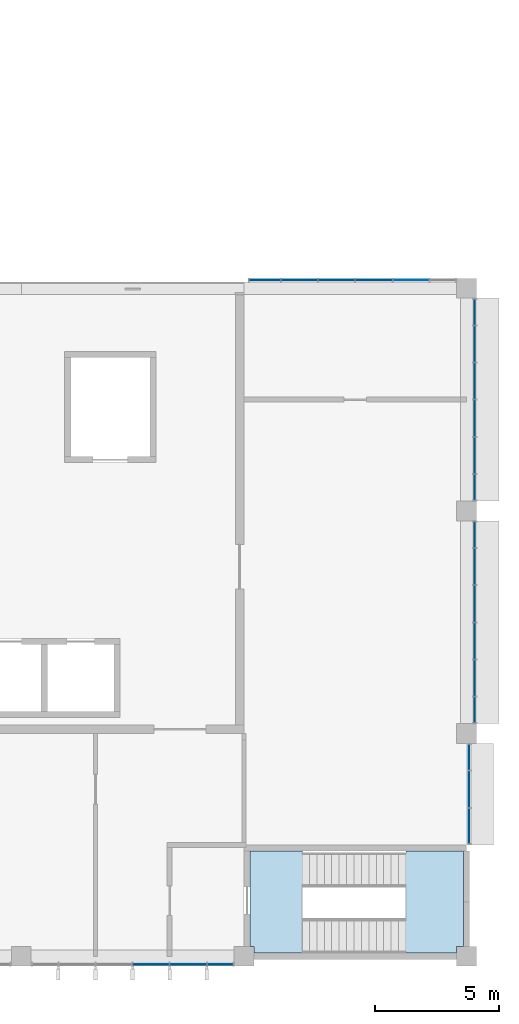
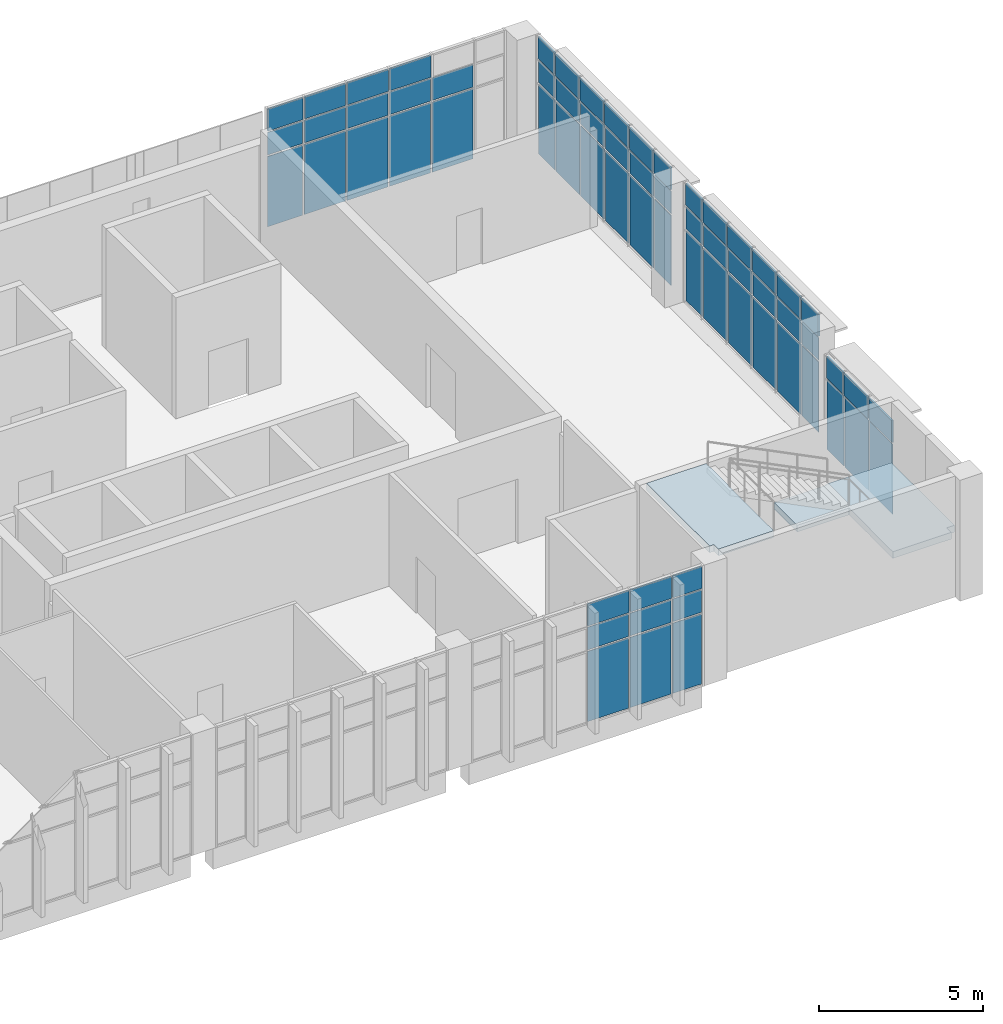
# One storey, part 11 of 19: 65 plates, 2 slabs, 6 elements without a shape of their own.
"""IFC4 building model written with IfcOpenShell, lengths in metres."""

from ifc_helpers import new_model, si_unit, direction, frame, origin, origin_2d, place, context, subcontext, project, spatial, polyline, rectangle, outline, extrude, material, layer, layer_set, type_object, element, aggregate, save


model = new_model("IFC4")

# Units and contexts
model_context = context("Model", 3, precision=1e-05, world=origin(), true_north=direction((0.0, 1.0)))
body_context = subcontext(model_context, "Body", "Model", "MODEL_VIEW")
ifc_project = project(units=[si_unit("LENGTHUNIT", "METRE"), si_unit("AREAUNIT", "SQUARE_METRE"), si_unit("VOLUMEUNIT", "CUBIC_METRE"), si_unit("PLANEANGLEUNIT", "RADIAN"), si_unit("MASSUNIT", "GRAM", prefix="KILO")], contexts=[model_context])

# Site, building, storey
site_placement = place(None, origin())
site = spatial("IfcSite", under=ifc_project, at=site_placement, CompositionType="ELEMENT")
building_placement = place(site_placement, origin())
building = spatial("IfcBuilding", under=site, at=building_placement, Name="Guidao Yard Department Store", CompositionType="ELEMENT")
storey_placement = place(building_placement, frame((0.0, 0.0, 33.0)))
storey = spatial("IfcBuildingStorey", under=building, at=storey_placement, Name="L07", CompositionType="ELEMENT", Elevation=33.0)

# Curtain wall, plates
ifc_material_1 = material(Name="Aluminium and glass", Category="aluminium")
ifc_layer_1 = layer(ifc_material_1, 0.159912109375)
ifc_layer_set_1 = layer_set([ifc_layer_1], Name="Unitised curtain wall CW4 1500 module")
curtain_wall_type = type_object("IfcCurtainWallType", Name="Unitised curtain wall CW4 1500 module", PredefinedType="NOTDEFINED", material=ifc_layer_set_1)
curtain_wall_1_placement = place(storey_placement, origin())
curtain_wall_1 = element("IfcCurtainWall", 1, at=curtain_wall_1_placement, inside=storey, type_object=curtain_wall_type, Name="Unitised curtain wall", PredefinedType="NOTDEFINED")
ifc_material_2 = material(Name="Aluminium 6063-T5 faced insulated spandrel", Category="aluminium")
ifc_layer_2 = layer(ifc_material_2, 0.06005859375)
ifc_layer_set_2 = layer_set([ifc_layer_2], Name="Spandrel panel SP1 insulated opaque")
plate_type_1 = type_object("IfcPlateType", Name="Spandrel panel SP1 insulated opaque", PredefinedType="CURTAIN_PANEL", material=ifc_layer_set_2)
plate_1_placement = place(storey_placement, frame((158.25, -0.330078125, 3.6298828125), z_axis=(0.0, 0.0, 1.0), x_axis=(-1.0, 0.0, 0.0)))
plate_1 = element("IfcPlate", 2, at=plate_1_placement, type_object=plate_type_1, Name="CW-OW-L07-04 panel 4.3", PredefinedType="CURTAIN_PANEL", context=body_context, shape_type="SweptSolid", body=[
    extrude(rectangle(XDim=1.43994140625, YDim=0.06005859375, at=origin_2d()), origin(), (0.0, 0.0, 1.0), 0.81005859375),
])
plate_2_placement = place(storey_placement, frame((159.75, -0.330078125, 3.6298828125), z_axis=(0.0, 0.0, 1.0), x_axis=(-1.0, 0.0, 0.0)))
plate_2 = element("IfcPlate", 3, at=plate_2_placement, type_object=plate_type_1, Name="CW-OW-L07-04 panel 5.3", PredefinedType="CURTAIN_PANEL", context=body_context, shape_type="SweptSolid", body=[
    extrude(rectangle(XDim=1.43994140625, YDim=0.06005859375, at=origin_2d()), origin(), (0.0, 0.0, 1.0), 0.81005859375),
])
plate_3_placement = place(storey_placement, frame((161.034912109375, -0.330078125, 3.6298828125), z_axis=(0.0, 0.0, 1.0), x_axis=(-1.0, 0.0, 0.0)))
plate_3 = element("IfcPlate", 4, at=plate_3_placement, type_object=plate_type_1, Name="CW-OW-L07-04 panel 6.3", PredefinedType="CURTAIN_PANEL", context=body_context, shape_type="SweptSolid", body=[
    extrude(rectangle(XDim=1.010009765625, YDim=0.06005859375, at=origin_2d()), origin(), (0.0, 0.0, 1.0), 0.81005859375),
])

curtain_wall_2_placement = place(storey_placement, origin())
curtain_wall_2 = element("IfcCurtainWall", 5, at=curtain_wall_2_placement, inside=storey, type_object=curtain_wall_type, Name="Unitised curtain wall", PredefinedType="NOTDEFINED")
plate_4_placement = place(storey_placement, frame((162.8525390625, 27.330078125, 3.6298828125), z_axis=(0.0, 0.0, 1.0), x_axis=(1.0, 0.0, 0.0)))
plate_4 = element("IfcPlate", 6, at=plate_4_placement, type_object=plate_type_1, Name="CW-OW-L07-08 panel 1.3", PredefinedType="CURTAIN_PANEL", context=body_context, shape_type="SweptSolid", body=[
    extrude(rectangle(XDim=1.235107421875, YDim=0.06005859375, at=origin_2d()), origin(), (0.0, 0.0, 1.0), 0.81005859375),
])
plate_5_placement = place(storey_placement, frame((164.25, 27.330078125, 3.6298828125), z_axis=(0.0, 0.0, 1.0), x_axis=(1.0, 0.0, 0.0)))
plate_5 = element("IfcPlate", 7, at=plate_5_placement, type_object=plate_type_1, Name="CW-OW-L07-08 panel 2.3", PredefinedType="CURTAIN_PANEL", context=body_context, shape_type="SweptSolid", body=[
    extrude(rectangle(XDim=1.43994140625, YDim=0.06005859375, at=origin_2d()), origin(), (0.0, 0.0, 1.0), 0.81005859375),
])
plate_6_placement = place(storey_placement, frame((165.75, 27.330078125, 3.6298828125), z_axis=(0.0, 0.0, 1.0), x_axis=(1.0, 0.0, 0.0)))
plate_6 = element("IfcPlate", 8, at=plate_6_placement, type_object=plate_type_1, Name="CW-OW-L07-08 panel 3.3", PredefinedType="CURTAIN_PANEL", context=body_context, shape_type="SweptSolid", body=[
    extrude(rectangle(XDim=1.43994140625, YDim=0.06005859375, at=origin_2d()), origin(), (0.0, 0.0, 1.0), 0.81005859375),
])
plate_7_placement = place(storey_placement, frame((167.25, 27.330078125, 3.6298828125), z_axis=(0.0, 0.0, 1.0), x_axis=(1.0, 0.0, 0.0)))
plate_7 = element("IfcPlate", 9, at=plate_7_placement, type_object=plate_type_1, Name="CW-OW-L07-08 panel 4.3", PredefinedType="CURTAIN_PANEL", context=body_context, shape_type="SweptSolid", body=[
    extrude(rectangle(XDim=1.43994140625, YDim=0.06005859375, at=origin_2d()), origin(), (0.0, 0.0, 1.0), 0.81005859375),
])

curtain_wall_3_placement = place(storey_placement, origin())
curtain_wall_3 = element("IfcCurtainWall", 10, at=curtain_wall_3_placement, inside=storey, type_object=curtain_wall_type, Name="Unitised curtain wall", PredefinedType="NOTDEFINED")
plate_8_placement = place(storey_placement, frame((171.10009765625, 5.264892578125, 2.72998046875), z_axis=(0.0, 0.0, 1.0), x_axis=(0.0, -1.0, 0.0)))
plate_8 = element("IfcPlate", 11, at=plate_8_placement, type_object=plate_type_1, Name="CW-OW-L07-09 panel 1.2", PredefinedType="CURTAIN_PANEL", context=body_context, shape_type="SweptSolid", body=[
    extrude(rectangle(XDim=1.409912109375, YDim=0.06005859375, at=origin_2d()), origin(), (0.0, 0.0, 1.0), 0.81005859375),
])
plate_9_placement = place(storey_placement, frame((171.10009765625, 6.75, 2.72998046875), z_axis=(0.0, 0.0, 1.0), x_axis=(0.0, -1.0, 0.0)))
plate_9 = element("IfcPlate", 12, at=plate_9_placement, type_object=plate_type_1, Name="CW-OW-L07-09 panel 2.2", PredefinedType="CURTAIN_PANEL", context=body_context, shape_type="SweptSolid", body=[
    extrude(rectangle(XDim=1.43994140625, YDim=0.06005859375, at=origin_2d()), origin(), (0.0, 0.0, 1.0), 0.81005859375),
])
plate_10_placement = place(storey_placement, frame((171.10009765625, 8.034912109375, 2.72998046875), z_axis=(0.0, 0.0, 1.0), x_axis=(0.0, -1.0, 0.0)))
plate_10 = element("IfcPlate", 13, at=plate_10_placement, type_object=plate_type_1, Name="CW-OW-L07-09 panel 3.2", PredefinedType="CURTAIN_PANEL", context=body_context, shape_type="SweptSolid", body=[
    extrude(rectangle(XDim=1.010009765625, YDim=0.06005859375, at=origin_2d()), origin(), (0.0, 0.0, 1.0), 0.81005859375),
])

curtain_wall_4_placement = place(storey_placement, origin())
curtain_wall_4 = element("IfcCurtainWall", 14, at=curtain_wall_4_placement, inside=storey, type_object=curtain_wall_type, Name="Unitised curtain wall", PredefinedType="NOTDEFINED")
plate_11_placement = place(storey_placement, frame((171.330078125, 9.965087890625, 3.6298828125), z_axis=(0.0, 0.0, 1.0), x_axis=(0.0, -1.0, 0.0)))
plate_11 = element("IfcPlate", 15, at=plate_11_placement, type_object=plate_type_1, Name="CW-OW-L07-10 panel 1.3", PredefinedType="CURTAIN_PANEL", context=body_context, shape_type="SweptSolid", body=[
    extrude(rectangle(XDim=1.010009765625, YDim=0.06005859375, at=origin_2d()), origin(), (0.0, 0.0, 1.0), 0.81005859375),
])
plate_12_placement = place(storey_placement, frame((171.330078125, 11.25, 3.6298828125), z_axis=(0.0, 0.0, 1.0), x_axis=(0.0, -1.0, 0.0)))
plate_12 = element("IfcPlate", 16, at=plate_12_placement, type_object=plate_type_1, Name="CW-OW-L07-10 panel 2.3", PredefinedType="CURTAIN_PANEL", context=body_context, shape_type="SweptSolid", body=[
    extrude(rectangle(XDim=1.43994140625, YDim=0.06005859375, at=origin_2d()), origin(), (0.0, 0.0, 1.0), 0.81005859375),
])
plate_13_placement = place(storey_placement, frame((171.330078125, 12.75, 3.6298828125), z_axis=(0.0, 0.0, 1.0), x_axis=(0.0, -1.0, 0.0)))
plate_13 = element("IfcPlate", 17, at=plate_13_placement, type_object=plate_type_1, Name="CW-OW-L07-10 panel 3.3", PredefinedType="CURTAIN_PANEL", context=body_context, shape_type="SweptSolid", body=[
    extrude(rectangle(XDim=1.43994140625, YDim=0.06005859375, at=origin_2d()), origin(), (0.0, 0.0, 1.0), 0.81005859375),
])
plate_14_placement = place(storey_placement, frame((171.330078125, 14.25, 3.6298828125), z_axis=(0.0, 0.0, 1.0), x_axis=(0.0, -1.0, 0.0)))
plate_14 = element("IfcPlate", 18, at=plate_14_placement, type_object=plate_type_1, Name="CW-OW-L07-10 panel 4.3", PredefinedType="CURTAIN_PANEL", context=body_context, shape_type="SweptSolid", body=[
    extrude(rectangle(XDim=1.43994140625, YDim=0.06005859375, at=origin_2d()), origin(), (0.0, 0.0, 1.0), 0.81005859375),
])
plate_15_placement = place(storey_placement, frame((171.330078125, 15.75, 3.6298828125), z_axis=(0.0, 0.0, 1.0), x_axis=(0.0, -1.0, 0.0)))
plate_15 = element("IfcPlate", 19, at=plate_15_placement, type_object=plate_type_1, Name="CW-OW-L07-10 panel 5.3", PredefinedType="CURTAIN_PANEL", context=body_context, shape_type="SweptSolid", body=[
    extrude(rectangle(XDim=1.43994140625, YDim=0.06005859375, at=origin_2d()), origin(), (0.0, 0.0, 1.0), 0.81005859375),
])
plate_16_placement = place(storey_placement, frame((171.330078125, 17.034912109375, 3.6298828125), z_axis=(0.0, 0.0, 1.0), x_axis=(0.0, -1.0, 0.0)))
plate_16 = element("IfcPlate", 20, at=plate_16_placement, type_object=plate_type_1, Name="CW-OW-L07-10 panel 6.3", PredefinedType="CURTAIN_PANEL", context=body_context, shape_type="SweptSolid", body=[
    extrude(rectangle(XDim=1.010009765625, YDim=0.06005859375, at=origin_2d()), origin(), (0.0, 0.0, 1.0), 0.81005859375),
])

curtain_wall_5_placement = place(storey_placement, origin())
curtain_wall_5 = element("IfcCurtainWall", 21, at=curtain_wall_5_placement, inside=storey, type_object=curtain_wall_type, Name="Unitised curtain wall", PredefinedType="NOTDEFINED")
plate_17_placement = place(storey_placement, frame((171.330078125, 18.965087890625, 3.6298828125), z_axis=(0.0, 0.0, 1.0), x_axis=(0.0, -1.0, 0.0)))
plate_17 = element("IfcPlate", 22, at=plate_17_placement, type_object=plate_type_1, Name="CW-OW-L07-11 panel 1.3", PredefinedType="CURTAIN_PANEL", context=body_context, shape_type="SweptSolid", body=[
    extrude(rectangle(XDim=1.010009765625, YDim=0.06005859375, at=origin_2d()), origin(), (0.0, 0.0, 1.0), 0.81005859375),
])
plate_18_placement = place(storey_placement, frame((171.330078125, 20.25, 3.6298828125), z_axis=(0.0, 0.0, 1.0), x_axis=(0.0, -1.0, 0.0)))
plate_18 = element("IfcPlate", 23, at=plate_18_placement, type_object=plate_type_1, Name="CW-OW-L07-11 panel 2.3", PredefinedType="CURTAIN_PANEL", context=body_context, shape_type="SweptSolid", body=[
    extrude(rectangle(XDim=1.43994140625, YDim=0.06005859375, at=origin_2d()), origin(), (0.0, 0.0, 1.0), 0.81005859375),
])
plate_19_placement = place(storey_placement, frame((171.330078125, 21.75, 3.6298828125), z_axis=(0.0, 0.0, 1.0), x_axis=(0.0, -1.0, 0.0)))
plate_19 = element("IfcPlate", 24, at=plate_19_placement, type_object=plate_type_1, Name="CW-OW-L07-11 panel 3.3", PredefinedType="CURTAIN_PANEL", context=body_context, shape_type="SweptSolid", body=[
    extrude(rectangle(XDim=1.43994140625, YDim=0.06005859375, at=origin_2d()), origin(), (0.0, 0.0, 1.0), 0.81005859375),
])
plate_20_placement = place(storey_placement, frame((171.330078125, 23.25, 3.6298828125), z_axis=(0.0, 0.0, 1.0), x_axis=(0.0, -1.0, 0.0)))
plate_20 = element("IfcPlate", 25, at=plate_20_placement, type_object=plate_type_1, Name="CW-OW-L07-11 panel 4.3", PredefinedType="CURTAIN_PANEL", context=body_context, shape_type="SweptSolid", body=[
    extrude(rectangle(XDim=1.43994140625, YDim=0.06005859375, at=origin_2d()), origin(), (0.0, 0.0, 1.0), 0.81005859375),
])
plate_21_placement = place(storey_placement, frame((171.330078125, 24.75, 3.6298828125), z_axis=(0.0, 0.0, 1.0), x_axis=(0.0, -1.0, 0.0)))
plate_21 = element("IfcPlate", 26, at=plate_21_placement, type_object=plate_type_1, Name="CW-OW-L07-11 panel 5.3", PredefinedType="CURTAIN_PANEL", context=body_context, shape_type="SweptSolid", body=[
    extrude(rectangle(XDim=1.43994140625, YDim=0.06005859375, at=origin_2d()), origin(), (0.0, 0.0, 1.0), 0.81005859375),
])
plate_22_placement = place(storey_placement, frame((171.330078125, 26.034912109375, 3.6298828125), z_axis=(0.0, 0.0, 1.0), x_axis=(0.0, -1.0, 0.0)))
plate_22 = element("IfcPlate", 27, at=plate_22_placement, type_object=plate_type_1, Name="CW-OW-L07-11 panel 6.3", PredefinedType="CURTAIN_PANEL", context=body_context, shape_type="SweptSolid", body=[
    extrude(rectangle(XDim=1.010009765625, YDim=0.06005859375, at=origin_2d()), origin(), (0.0, 0.0, 1.0), 0.81005859375),
])

# Stair, slabs
ifc_material_3 = material(Name="Concrete C35", Category="concrete")
stair_type = type_object("IfcStairType", Name="Stair half-turn two-flight 1400 wide 4.5 m rise", PredefinedType="HALF_TURN_STAIR", material=ifc_material_3)
stair_placement = place(storey_placement, origin())
stair = element("IfcStair", 28, at=stair_placement, inside=storey, type_object=stair_type, Name="Stair O2 L07 to RF", PredefinedType="HALF_TURN_STAIR")
ifc_material_4 = material(Name="Concrete C35", Category="concrete")
ifc_layer_3 = layer(ifc_material_4, 0.25)
ifc_layer_set_3 = layer_set([ifc_layer_3], Name="Stair landing RC 250 C35")
slab_type = type_object("IfcSlabType", Name="Stair landing RC 250 C35", PredefinedType="LANDING", material=ifc_layer_set_3)
slab_1_placement = place(storey_placement, frame((0.0, 0.0, 2.0)))
slab_1 = element("IfcSlab", 29, at=slab_1_placement, type_object=slab_type, Name="SO2-L07 landing 1", PredefinedType="LANDING", context=body_context, shape_type="SweptSolid", body=[
    extrude(outline(polyline([(168.550048828125, 1.52490234375), (168.550048828125, 2.800048828125), (166.719970703125, 2.800048828125), (166.719970703125, 4.199951171875), (168.550048828125, 4.199951171875), (168.550048828125, 4.25), (170.875, 4.25), (170.875, 0.39990234375), (170.60009765625, 0.39990234375), (170.60009765625, 0.125), (168.550048828125, 0.125), (168.5400390625, 0.125), (168.5400390625, 1.52490234375), (168.550048828125, 1.52490234375)])), origin(), (0.0, 0.0, 1.0), 0.25),
])
slab_2_placement = place(storey_placement, frame((0.0, 0.0, 4.25)))
slab_2 = element("IfcSlab", 30, at=slab_2_placement, type_object=slab_type, Name="SO2-L07 landing 2", PredefinedType="LANDING", context=body_context, shape_type="SweptSolid", body=[
    extrude(outline(polyline([(162.39990234375, 0.39990234375), (162.25, 0.39990234375), (162.25, 2.800048828125), (162.25, 4.25), (164.360107421875, 4.25), (164.360107421875, 2.800048828125), (164.35009765625, 2.800048828125), (164.35009765625, 0.125), (162.39990234375, 0.125), (162.39990234375, 0.39990234375)])), origin(), (0.0, 0.0, 1.0), 0.25),
])
aggregate(stair, [slab_1, slab_2])

# Plate
ifc_material_5 = material(Name="Laminated heat-soaked tempered glass", Category="glass")
ifc_layer_4 = layer(ifc_material_5, 0.017578125)
ifc_layer_set_4 = layer_set([ifc_layer_4], Name="Vision glass VG1 laminated heat-soaked tempered 8+8")
plate_type_2 = type_object("IfcPlateType", Name="Vision glass VG1 laminated heat-soaked tempered 8+8", PredefinedType="CURTAIN_PANEL", material=ifc_layer_set_4)
plate_23_placement = place(storey_placement, frame((158.25, -0.330078125, 0.06005859375), z_axis=(0.0, 0.0, 1.0), x_axis=(-1.0, 0.0, 0.0)))
plate_23 = element("IfcPlate", 31, at=plate_23_placement, type_object=plate_type_2, Name="CW-OW-L07-04 panel 4.1", PredefinedType="CURTAIN_PANEL", context=body_context, shape_type="SweptSolid", body=[
    extrude(rectangle(XDim=1.43994140625, YDim=0.017578125, at=origin_2d()), origin(), (0.0, 0.0, 1.0), 2.610107421875),
])

plate_24_placement = place(storey_placement, frame((158.25, -0.330078125, 2.72998046875), z_axis=(0.0, 0.0, 1.0), x_axis=(-1.0, 0.0, 0.0)))
plate_24 = element("IfcPlate", 32, at=plate_24_placement, type_object=plate_type_2, Name="CW-OW-L07-04 panel 4.2", PredefinedType="CURTAIN_PANEL", context=body_context, shape_type="SweptSolid", body=[
    extrude(rectangle(XDim=1.43994140625, YDim=0.017578125, at=origin_2d()), origin(), (0.0, 0.0, 1.0), 0.840087890625),
])

plate_25_placement = place(storey_placement, frame((159.75, -0.330078125, 0.06005859375), z_axis=(0.0, 0.0, 1.0), x_axis=(-1.0, 0.0, 0.0)))
plate_25 = element("IfcPlate", 33, at=plate_25_placement, type_object=plate_type_2, Name="CW-OW-L07-04 panel 5.1", PredefinedType="CURTAIN_PANEL", context=body_context, shape_type="SweptSolid", body=[
    extrude(rectangle(XDim=1.43994140625, YDim=0.017578125, at=origin_2d()), origin(), (0.0, 0.0, 1.0), 2.610107421875),
])

plate_26_placement = place(storey_placement, frame((159.75, -0.330078125, 2.72998046875), z_axis=(0.0, 0.0, 1.0), x_axis=(-1.0, 0.0, 0.0)))
plate_26 = element("IfcPlate", 34, at=plate_26_placement, type_object=plate_type_2, Name="CW-OW-L07-04 panel 5.2", PredefinedType="CURTAIN_PANEL", context=body_context, shape_type="SweptSolid", body=[
    extrude(rectangle(XDim=1.43994140625, YDim=0.017578125, at=origin_2d()), origin(), (0.0, 0.0, 1.0), 0.840087890625),
])

plate_27_placement = place(storey_placement, frame((161.034912109375, -0.330078125, 0.06005859375), z_axis=(0.0, 0.0, 1.0), x_axis=(-1.0, 0.0, 0.0)))
plate_27 = element("IfcPlate", 35, at=plate_27_placement, type_object=plate_type_2, Name="CW-OW-L07-04 panel 6.1", PredefinedType="CURTAIN_PANEL", context=body_context, shape_type="SweptSolid", body=[
    extrude(rectangle(XDim=1.010009765625, YDim=0.017578125, at=origin_2d()), origin(), (0.0, 0.0, 1.0), 2.610107421875),
])

plate_28_placement = place(storey_placement, frame((161.034912109375, -0.330078125, 2.72998046875), z_axis=(0.0, 0.0, 1.0), x_axis=(-1.0, 0.0, 0.0)))
plate_28 = element("IfcPlate", 36, at=plate_28_placement, type_object=plate_type_2, Name="CW-OW-L07-04 panel 6.2", PredefinedType="CURTAIN_PANEL", context=body_context, shape_type="SweptSolid", body=[
    extrude(rectangle(XDim=1.010009765625, YDim=0.017578125, at=origin_2d()), origin(), (0.0, 0.0, 1.0), 0.840087890625),
])

aggregate(curtain_wall_1, [plate_23, plate_24, plate_1, plate_25, plate_26, plate_2, plate_27, plate_28, plate_3])

plate_29_placement = place(storey_placement, frame((162.8525390625, 27.330078125, 0.06005859375), z_axis=(0.0, 0.0, 1.0), x_axis=(1.0, 0.0, 0.0)))
plate_29 = element("IfcPlate", 37, at=plate_29_placement, type_object=plate_type_2, Name="CW-OW-L07-08 panel 1.1", PredefinedType="CURTAIN_PANEL", context=body_context, shape_type="SweptSolid", body=[
    extrude(rectangle(XDim=1.235107421875, YDim=0.017578125, at=origin_2d()), origin(), (0.0, 0.0, 1.0), 2.610107421875),
])

plate_30_placement = place(storey_placement, frame((162.8525390625, 27.330078125, 2.72998046875), z_axis=(0.0, 0.0, 1.0), x_axis=(1.0, 0.0, 0.0)))
plate_30 = element("IfcPlate", 38, at=plate_30_placement, type_object=plate_type_2, Name="CW-OW-L07-08 panel 1.2", PredefinedType="CURTAIN_PANEL", context=body_context, shape_type="SweptSolid", body=[
    extrude(rectangle(XDim=1.235107421875, YDim=0.017578125, at=origin_2d()), origin(), (0.0, 0.0, 1.0), 0.840087890625),
])

plate_31_placement = place(storey_placement, frame((164.25, 27.330078125, 0.06005859375), z_axis=(0.0, 0.0, 1.0), x_axis=(1.0, 0.0, 0.0)))
plate_31 = element("IfcPlate", 39, at=plate_31_placement, type_object=plate_type_2, Name="CW-OW-L07-08 panel 2.1", PredefinedType="CURTAIN_PANEL", context=body_context, shape_type="SweptSolid", body=[
    extrude(rectangle(XDim=1.43994140625, YDim=0.017578125, at=origin_2d()), origin(), (0.0, 0.0, 1.0), 2.610107421875),
])

plate_32_placement = place(storey_placement, frame((164.25, 27.330078125, 2.72998046875), z_axis=(0.0, 0.0, 1.0), x_axis=(1.0, 0.0, 0.0)))
plate_32 = element("IfcPlate", 40, at=plate_32_placement, type_object=plate_type_2, Name="CW-OW-L07-08 panel 2.2", PredefinedType="CURTAIN_PANEL", context=body_context, shape_type="SweptSolid", body=[
    extrude(rectangle(XDim=1.43994140625, YDim=0.017578125, at=origin_2d()), origin(), (0.0, 0.0, 1.0), 0.840087890625),
])

plate_33_placement = place(storey_placement, frame((165.75, 27.330078125, 0.06005859375), z_axis=(0.0, 0.0, 1.0), x_axis=(1.0, 0.0, 0.0)))
plate_33 = element("IfcPlate", 41, at=plate_33_placement, type_object=plate_type_2, Name="CW-OW-L07-08 panel 3.1", PredefinedType="CURTAIN_PANEL", context=body_context, shape_type="SweptSolid", body=[
    extrude(rectangle(XDim=1.43994140625, YDim=0.017578125, at=origin_2d()), origin(), (0.0, 0.0, 1.0), 2.610107421875),
])

plate_34_placement = place(storey_placement, frame((165.75, 27.330078125, 2.72998046875), z_axis=(0.0, 0.0, 1.0), x_axis=(1.0, 0.0, 0.0)))
plate_34 = element("IfcPlate", 42, at=plate_34_placement, type_object=plate_type_2, Name="CW-OW-L07-08 panel 3.2", PredefinedType="CURTAIN_PANEL", context=body_context, shape_type="SweptSolid", body=[
    extrude(rectangle(XDim=1.43994140625, YDim=0.017578125, at=origin_2d()), origin(), (0.0, 0.0, 1.0), 0.840087890625),
])

plate_35_placement = place(storey_placement, frame((167.25, 27.330078125, 0.06005859375), z_axis=(0.0, 0.0, 1.0), x_axis=(1.0, 0.0, 0.0)))
plate_35 = element("IfcPlate", 43, at=plate_35_placement, type_object=plate_type_2, Name="CW-OW-L07-08 panel 4.1", PredefinedType="CURTAIN_PANEL", context=body_context, shape_type="SweptSolid", body=[
    extrude(rectangle(XDim=1.43994140625, YDim=0.017578125, at=origin_2d()), origin(), (0.0, 0.0, 1.0), 2.610107421875),
])

plate_36_placement = place(storey_placement, frame((167.25, 27.330078125, 2.72998046875), z_axis=(0.0, 0.0, 1.0), x_axis=(1.0, 0.0, 0.0)))
plate_36 = element("IfcPlate", 44, at=plate_36_placement, type_object=plate_type_2, Name="CW-OW-L07-08 panel 4.2", PredefinedType="CURTAIN_PANEL", context=body_context, shape_type="SweptSolid", body=[
    extrude(rectangle(XDim=1.43994140625, YDim=0.017578125, at=origin_2d()), origin(), (0.0, 0.0, 1.0), 0.840087890625),
])

plate_37_placement = place(storey_placement, frame((168.75, 27.330078125, 0.06005859375), z_axis=(0.0, 0.0, 1.0), x_axis=(1.0, 0.0, 0.0)))
plate_37 = element("IfcPlate", 45, at=plate_37_placement, type_object=plate_type_2, Name="CW-OW-L07-08 panel 5.1", PredefinedType="CURTAIN_PANEL", context=body_context, shape_type="SweptSolid", body=[
    extrude(rectangle(XDim=1.43994140625, YDim=0.017578125, at=origin_2d()), origin(), (0.0, 0.0, 1.0), 2.610107421875),
])

plate_38_placement = place(storey_placement, frame((168.75, 27.330078125, 2.72998046875), z_axis=(0.0, 0.0, 1.0), x_axis=(1.0, 0.0, 0.0)))
plate_38 = element("IfcPlate", 46, at=plate_38_placement, type_object=plate_type_2, Name="CW-OW-L07-08 panel 5.2", PredefinedType="CURTAIN_PANEL", context=body_context, shape_type="SweptSolid", body=[
    extrude(rectangle(XDim=1.43994140625, YDim=0.017578125, at=origin_2d()), origin(), (0.0, 0.0, 1.0), 0.840087890625),
])

aggregate(curtain_wall_2, [plate_29, plate_30, plate_4, plate_31, plate_32, plate_5, plate_33, plate_34, plate_6, plate_35, plate_36, plate_7, plate_37, plate_38])

plate_39_placement = place(storey_placement, frame((171.10009765625, 5.264892578125, 0.06005859375), z_axis=(0.0, 0.0, 1.0), x_axis=(0.0, -1.0, 0.0)))
plate_39 = element("IfcPlate", 47, at=plate_39_placement, type_object=plate_type_2, Name="CW-OW-L07-09 panel 1.1", PredefinedType="CURTAIN_PANEL", context=body_context, shape_type="SweptSolid", body=[
    extrude(rectangle(XDim=1.409912109375, YDim=0.017578125, at=origin_2d()), origin(), (0.0, 0.0, 1.0), 2.610107421875),
])

plate_40_placement = place(storey_placement, frame((171.10009765625, 6.75, 0.06005859375), z_axis=(0.0, 0.0, 1.0), x_axis=(0.0, -1.0, 0.0)))
plate_40 = element("IfcPlate", 48, at=plate_40_placement, type_object=plate_type_2, Name="CW-OW-L07-09 panel 2.1", PredefinedType="CURTAIN_PANEL", context=body_context, shape_type="SweptSolid", body=[
    extrude(rectangle(XDim=1.43994140625, YDim=0.017578125, at=origin_2d()), origin(), (0.0, 0.0, 1.0), 2.610107421875),
])

plate_41_placement = place(storey_placement, frame((171.10009765625, 8.034912109375, 0.06005859375), z_axis=(0.0, 0.0, 1.0), x_axis=(0.0, -1.0, 0.0)))
plate_41 = element("IfcPlate", 49, at=plate_41_placement, type_object=plate_type_2, Name="CW-OW-L07-09 panel 3.1", PredefinedType="CURTAIN_PANEL", context=body_context, shape_type="SweptSolid", body=[
    extrude(rectangle(XDim=1.010009765625, YDim=0.017578125, at=origin_2d()), origin(), (0.0, 0.0, 1.0), 2.610107421875),
])

aggregate(curtain_wall_3, [plate_39, plate_8, plate_40, plate_9, plate_41, plate_10])

plate_42_placement = place(storey_placement, frame((171.330078125, 9.965087890625, 0.06005859375), z_axis=(0.0, 0.0, 1.0), x_axis=(0.0, -1.0, 0.0)))
plate_42 = element("IfcPlate", 50, at=plate_42_placement, type_object=plate_type_2, Name="CW-OW-L07-10 panel 1.1", PredefinedType="CURTAIN_PANEL", context=body_context, shape_type="SweptSolid", body=[
    extrude(rectangle(XDim=1.010009765625, YDim=0.017578125, at=origin_2d()), origin(), (0.0, 0.0, 1.0), 2.610107421875),
])

plate_43_placement = place(storey_placement, frame((171.330078125, 9.965087890625, 2.72998046875), z_axis=(0.0, 0.0, 1.0), x_axis=(0.0, -1.0, 0.0)))
plate_43 = element("IfcPlate", 51, at=plate_43_placement, type_object=plate_type_2, Name="CW-OW-L07-10 panel 1.2", PredefinedType="CURTAIN_PANEL", context=body_context, shape_type="SweptSolid", body=[
    extrude(rectangle(XDim=1.010009765625, YDim=0.017578125, at=origin_2d()), origin(), (0.0, 0.0, 1.0), 0.840087890625),
])

plate_44_placement = place(storey_placement, frame((171.330078125, 11.25, 0.06005859375), z_axis=(0.0, 0.0, 1.0), x_axis=(0.0, -1.0, 0.0)))
plate_44 = element("IfcPlate", 52, at=plate_44_placement, type_object=plate_type_2, Name="CW-OW-L07-10 panel 2.1", PredefinedType="CURTAIN_PANEL", context=body_context, shape_type="SweptSolid", body=[
    extrude(rectangle(XDim=1.43994140625, YDim=0.017578125, at=origin_2d()), origin(), (0.0, 0.0, 1.0), 2.610107421875),
])

plate_45_placement = place(storey_placement, frame((171.330078125, 11.25, 2.72998046875), z_axis=(0.0, 0.0, 1.0), x_axis=(0.0, -1.0, 0.0)))
plate_45 = element("IfcPlate", 53, at=plate_45_placement, type_object=plate_type_2, Name="CW-OW-L07-10 panel 2.2", PredefinedType="CURTAIN_PANEL", context=body_context, shape_type="SweptSolid", body=[
    extrude(rectangle(XDim=1.43994140625, YDim=0.017578125, at=origin_2d()), origin(), (0.0, 0.0, 1.0), 0.840087890625),
])

plate_46_placement = place(storey_placement, frame((171.330078125, 12.75, 0.06005859375), z_axis=(0.0, 0.0, 1.0), x_axis=(0.0, -1.0, 0.0)))
plate_46 = element("IfcPlate", 54, at=plate_46_placement, type_object=plate_type_2, Name="CW-OW-L07-10 panel 3.1", PredefinedType="CURTAIN_PANEL", context=body_context, shape_type="SweptSolid", body=[
    extrude(rectangle(XDim=1.43994140625, YDim=0.017578125, at=origin_2d()), origin(), (0.0, 0.0, 1.0), 2.610107421875),
])

plate_47_placement = place(storey_placement, frame((171.330078125, 12.75, 2.72998046875), z_axis=(0.0, 0.0, 1.0), x_axis=(0.0, -1.0, 0.0)))
plate_47 = element("IfcPlate", 55, at=plate_47_placement, type_object=plate_type_2, Name="CW-OW-L07-10 panel 3.2", PredefinedType="CURTAIN_PANEL", context=body_context, shape_type="SweptSolid", body=[
    extrude(rectangle(XDim=1.43994140625, YDim=0.017578125, at=origin_2d()), origin(), (0.0, 0.0, 1.0), 0.840087890625),
])

plate_48_placement = place(storey_placement, frame((171.330078125, 14.25, 0.06005859375), z_axis=(0.0, 0.0, 1.0), x_axis=(0.0, -1.0, 0.0)))
plate_48 = element("IfcPlate", 56, at=plate_48_placement, type_object=plate_type_2, Name="CW-OW-L07-10 panel 4.1", PredefinedType="CURTAIN_PANEL", context=body_context, shape_type="SweptSolid", body=[
    extrude(rectangle(XDim=1.43994140625, YDim=0.017578125, at=origin_2d()), origin(), (0.0, 0.0, 1.0), 2.610107421875),
])

plate_49_placement = place(storey_placement, frame((171.330078125, 14.25, 2.72998046875), z_axis=(0.0, 0.0, 1.0), x_axis=(0.0, -1.0, 0.0)))
plate_49 = element("IfcPlate", 57, at=plate_49_placement, type_object=plate_type_2, Name="CW-OW-L07-10 panel 4.2", PredefinedType="CURTAIN_PANEL", context=body_context, shape_type="SweptSolid", body=[
    extrude(rectangle(XDim=1.43994140625, YDim=0.017578125, at=origin_2d()), origin(), (0.0, 0.0, 1.0), 0.840087890625),
])

plate_50_placement = place(storey_placement, frame((171.330078125, 15.75, 0.06005859375), z_axis=(0.0, 0.0, 1.0), x_axis=(0.0, -1.0, 0.0)))
plate_50 = element("IfcPlate", 58, at=plate_50_placement, type_object=plate_type_2, Name="CW-OW-L07-10 panel 5.1", PredefinedType="CURTAIN_PANEL", context=body_context, shape_type="SweptSolid", body=[
    extrude(rectangle(XDim=1.43994140625, YDim=0.017578125, at=origin_2d()), origin(), (0.0, 0.0, 1.0), 2.610107421875),
])

plate_51_placement = place(storey_placement, frame((171.330078125, 15.75, 2.72998046875), z_axis=(0.0, 0.0, 1.0), x_axis=(0.0, -1.0, 0.0)))
plate_51 = element("IfcPlate", 59, at=plate_51_placement, type_object=plate_type_2, Name="CW-OW-L07-10 panel 5.2", PredefinedType="CURTAIN_PANEL", context=body_context, shape_type="SweptSolid", body=[
    extrude(rectangle(XDim=1.43994140625, YDim=0.017578125, at=origin_2d()), origin(), (0.0, 0.0, 1.0), 0.840087890625),
])

plate_52_placement = place(storey_placement, frame((171.330078125, 17.034912109375, 0.06005859375), z_axis=(0.0, 0.0, 1.0), x_axis=(0.0, -1.0, 0.0)))
plate_52 = element("IfcPlate", 60, at=plate_52_placement, type_object=plate_type_2, Name="CW-OW-L07-10 panel 6.1", PredefinedType="CURTAIN_PANEL", context=body_context, shape_type="SweptSolid", body=[
    extrude(rectangle(XDim=1.010009765625, YDim=0.017578125, at=origin_2d()), origin(), (0.0, 0.0, 1.0), 2.610107421875),
])

plate_53_placement = place(storey_placement, frame((171.330078125, 17.034912109375, 2.72998046875), z_axis=(0.0, 0.0, 1.0), x_axis=(0.0, -1.0, 0.0)))
plate_53 = element("IfcPlate", 61, at=plate_53_placement, type_object=plate_type_2, Name="CW-OW-L07-10 panel 6.2", PredefinedType="CURTAIN_PANEL", context=body_context, shape_type="SweptSolid", body=[
    extrude(rectangle(XDim=1.010009765625, YDim=0.017578125, at=origin_2d()), origin(), (0.0, 0.0, 1.0), 0.840087890625),
])

aggregate(curtain_wall_4, [plate_42, plate_43, plate_11, plate_44, plate_45, plate_12, plate_46, plate_47, plate_13, plate_48, plate_49, plate_14, plate_50, plate_51, plate_15, plate_52, plate_53, plate_16])

plate_54_placement = place(storey_placement, frame((171.330078125, 18.965087890625, 0.06005859375), z_axis=(0.0, 0.0, 1.0), x_axis=(0.0, -1.0, 0.0)))
plate_54 = element("IfcPlate", 62, at=plate_54_placement, type_object=plate_type_2, Name="CW-OW-L07-11 panel 1.1", PredefinedType="CURTAIN_PANEL", context=body_context, shape_type="SweptSolid", body=[
    extrude(rectangle(XDim=1.010009765625, YDim=0.017578125, at=origin_2d()), origin(), (0.0, 0.0, 1.0), 2.610107421875),
])

plate_55_placement = place(storey_placement, frame((171.330078125, 18.965087890625, 2.72998046875), z_axis=(0.0, 0.0, 1.0), x_axis=(0.0, -1.0, 0.0)))
plate_55 = element("IfcPlate", 63, at=plate_55_placement, type_object=plate_type_2, Name="CW-OW-L07-11 panel 1.2", PredefinedType="CURTAIN_PANEL", context=body_context, shape_type="SweptSolid", body=[
    extrude(rectangle(XDim=1.010009765625, YDim=0.017578125, at=origin_2d()), origin(), (0.0, 0.0, 1.0), 0.840087890625),
])

plate_56_placement = place(storey_placement, frame((171.330078125, 20.25, 0.06005859375), z_axis=(0.0, 0.0, 1.0), x_axis=(0.0, -1.0, 0.0)))
plate_56 = element("IfcPlate", 64, at=plate_56_placement, type_object=plate_type_2, Name="CW-OW-L07-11 panel 2.1", PredefinedType="CURTAIN_PANEL", context=body_context, shape_type="SweptSolid", body=[
    extrude(rectangle(XDim=1.43994140625, YDim=0.017578125, at=origin_2d()), origin(), (0.0, 0.0, 1.0), 2.610107421875),
])

plate_57_placement = place(storey_placement, frame((171.330078125, 20.25, 2.72998046875), z_axis=(0.0, 0.0, 1.0), x_axis=(0.0, -1.0, 0.0)))
plate_57 = element("IfcPlate", 65, at=plate_57_placement, type_object=plate_type_2, Name="CW-OW-L07-11 panel 2.2", PredefinedType="CURTAIN_PANEL", context=body_context, shape_type="SweptSolid", body=[
    extrude(rectangle(XDim=1.43994140625, YDim=0.017578125, at=origin_2d()), origin(), (0.0, 0.0, 1.0), 0.840087890625),
])

plate_58_placement = place(storey_placement, frame((171.330078125, 21.75, 0.06005859375), z_axis=(0.0, 0.0, 1.0), x_axis=(0.0, -1.0, 0.0)))
plate_58 = element("IfcPlate", 66, at=plate_58_placement, type_object=plate_type_2, Name="CW-OW-L07-11 panel 3.1", PredefinedType="CURTAIN_PANEL", context=body_context, shape_type="SweptSolid", body=[
    extrude(rectangle(XDim=1.43994140625, YDim=0.017578125, at=origin_2d()), origin(), (0.0, 0.0, 1.0), 2.610107421875),
])

plate_59_placement = place(storey_placement, frame((171.330078125, 21.75, 2.72998046875), z_axis=(0.0, 0.0, 1.0), x_axis=(0.0, -1.0, 0.0)))
plate_59 = element("IfcPlate", 67, at=plate_59_placement, type_object=plate_type_2, Name="CW-OW-L07-11 panel 3.2", PredefinedType="CURTAIN_PANEL", context=body_context, shape_type="SweptSolid", body=[
    extrude(rectangle(XDim=1.43994140625, YDim=0.017578125, at=origin_2d()), origin(), (0.0, 0.0, 1.0), 0.840087890625),
])

plate_60_placement = place(storey_placement, frame((171.330078125, 23.25, 0.06005859375), z_axis=(0.0, 0.0, 1.0), x_axis=(0.0, -1.0, 0.0)))
plate_60 = element("IfcPlate", 68, at=plate_60_placement, type_object=plate_type_2, Name="CW-OW-L07-11 panel 4.1", PredefinedType="CURTAIN_PANEL", context=body_context, shape_type="SweptSolid", body=[
    extrude(rectangle(XDim=1.43994140625, YDim=0.017578125, at=origin_2d()), origin(), (0.0, 0.0, 1.0), 2.610107421875),
])

plate_61_placement = place(storey_placement, frame((171.330078125, 23.25, 2.72998046875), z_axis=(0.0, 0.0, 1.0), x_axis=(0.0, -1.0, 0.0)))
plate_61 = element("IfcPlate", 69, at=plate_61_placement, type_object=plate_type_2, Name="CW-OW-L07-11 panel 4.2", PredefinedType="CURTAIN_PANEL", context=body_context, shape_type="SweptSolid", body=[
    extrude(rectangle(XDim=1.43994140625, YDim=0.017578125, at=origin_2d()), origin(), (0.0, 0.0, 1.0), 0.840087890625),
])

plate_62_placement = place(storey_placement, frame((171.330078125, 24.75, 0.06005859375), z_axis=(0.0, 0.0, 1.0), x_axis=(0.0, -1.0, 0.0)))
plate_62 = element("IfcPlate", 70, at=plate_62_placement, type_object=plate_type_2, Name="CW-OW-L07-11 panel 5.1", PredefinedType="CURTAIN_PANEL", context=body_context, shape_type="SweptSolid", body=[
    extrude(rectangle(XDim=1.43994140625, YDim=0.017578125, at=origin_2d()), origin(), (0.0, 0.0, 1.0), 2.610107421875),
])

plate_63_placement = place(storey_placement, frame((171.330078125, 24.75, 2.72998046875), z_axis=(0.0, 0.0, 1.0), x_axis=(0.0, -1.0, 0.0)))
plate_63 = element("IfcPlate", 71, at=plate_63_placement, type_object=plate_type_2, Name="CW-OW-L07-11 panel 5.2", PredefinedType="CURTAIN_PANEL", context=body_context, shape_type="SweptSolid", body=[
    extrude(rectangle(XDim=1.43994140625, YDim=0.017578125, at=origin_2d()), origin(), (0.0, 0.0, 1.0), 0.840087890625),
])

plate_64_placement = place(storey_placement, frame((171.330078125, 26.034912109375, 0.06005859375), z_axis=(0.0, 0.0, 1.0), x_axis=(0.0, -1.0, 0.0)))
plate_64 = element("IfcPlate", 72, at=plate_64_placement, type_object=plate_type_2, Name="CW-OW-L07-11 panel 6.1", PredefinedType="CURTAIN_PANEL", context=body_context, shape_type="SweptSolid", body=[
    extrude(rectangle(XDim=1.010009765625, YDim=0.017578125, at=origin_2d()), origin(), (0.0, 0.0, 1.0), 2.610107421875),
])

plate_65_placement = place(storey_placement, frame((171.330078125, 26.034912109375, 2.72998046875), z_axis=(0.0, 0.0, 1.0), x_axis=(0.0, -1.0, 0.0)))
plate_65 = element("IfcPlate", 73, at=plate_65_placement, type_object=plate_type_2, Name="CW-OW-L07-11 panel 6.2", PredefinedType="CURTAIN_PANEL", context=body_context, shape_type="SweptSolid", body=[
    extrude(rectangle(XDim=1.010009765625, YDim=0.017578125, at=origin_2d()), origin(), (0.0, 0.0, 1.0), 0.840087890625),
])

aggregate(curtain_wall_5, [plate_54, plate_55, plate_17, plate_56, plate_57, plate_18, plate_58, plate_59, plate_19, plate_60, plate_61, plate_20, plate_62, plate_63, plate_21, plate_64, plate_65, plate_22])

save(model, "model.ifc")
